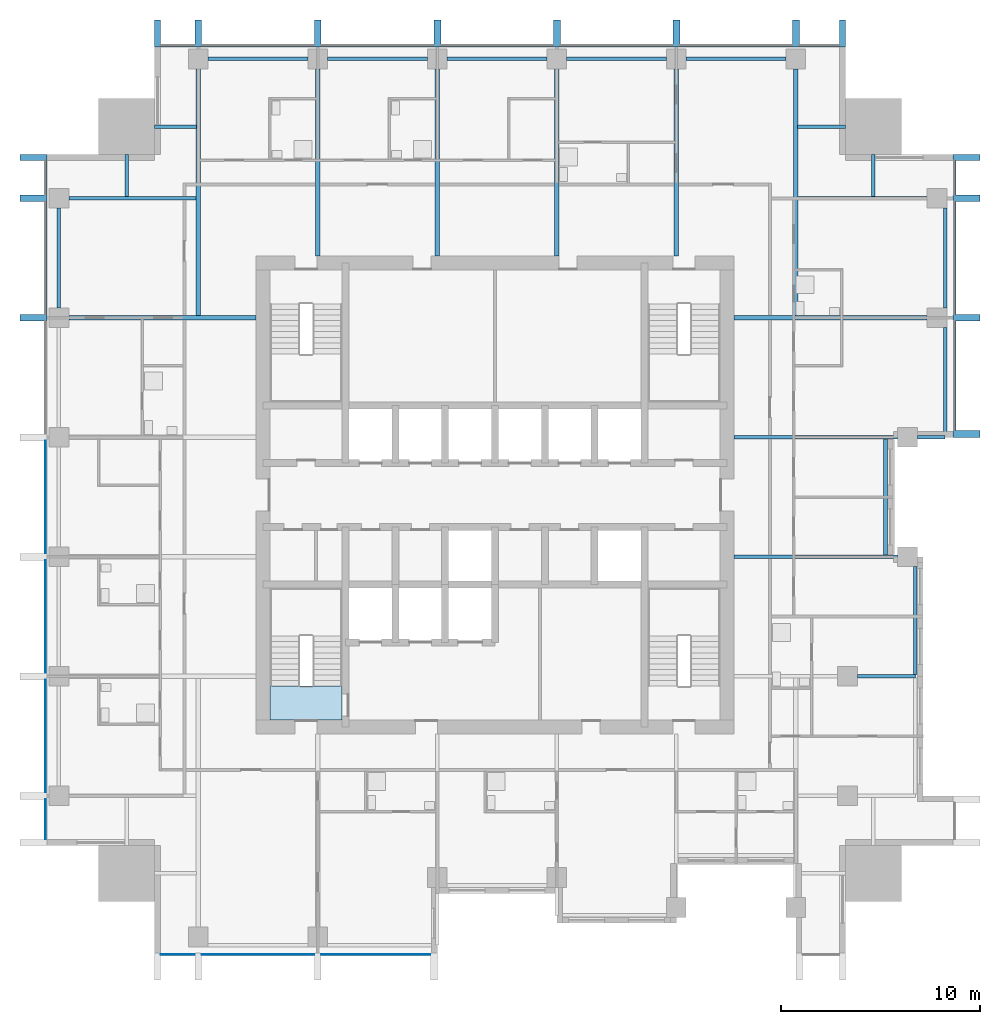
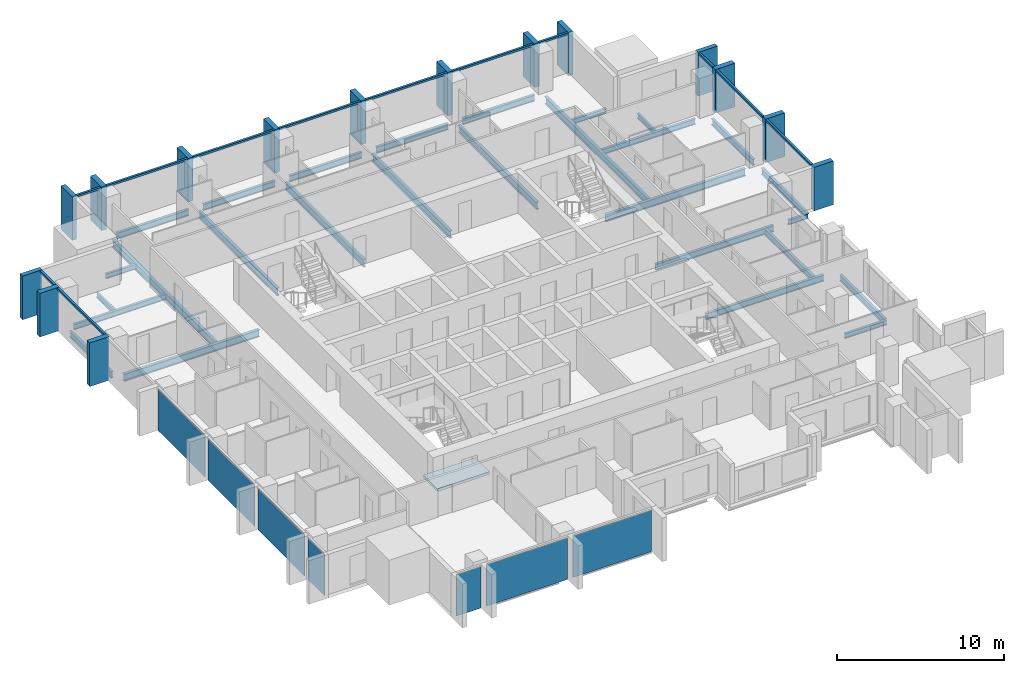
# One storey, part 2 of 10: 28 beams, 27 members, 7 plates, 1 slab, 5 elements without a shape of their own.
"""IFC4 building model written with IfcOpenShell, lengths in metres."""

from ifc_helpers import new_model, si_unit, direction, frame, origin, origin_2d, place, context, subcontext, project, spatial, polyline, rectangle, i_section, outline, extrude, material, layer, layer_set, material_profile, profile_set, type_object, element, aggregate, save


model = new_model("IFC4")

# Units and contexts
model_context = context("Model", 3, precision=1e-05, world=origin(), true_north=direction((0.0, 1.0)))
body_context = subcontext(model_context, "Body", "Model", "MODEL_VIEW")
ifc_project = project(units=[si_unit("LENGTHUNIT", "METRE"), si_unit("AREAUNIT", "SQUARE_METRE"), si_unit("VOLUMEUNIT", "CUBIC_METRE"), si_unit("PLANEANGLEUNIT", "RADIAN"), si_unit("MASSUNIT", "GRAM", prefix="KILO")], contexts=[model_context])

# Site, building, storey
site_placement = place(None, origin())
site = spatial("IfcSite", under=ifc_project, at=site_placement, CompositionType="ELEMENT")
building_placement = place(site_placement, origin())
building = spatial("IfcBuilding", under=site, at=building_placement, Name="Amberfall Residences", CompositionType="ELEMENT")
storey_placement = place(building_placement, frame((0.0, 0.0, 174.699951171875)))
storey = spatial("IfcBuildingStorey", under=building, at=storey_placement, Name="L47", CompositionType="ELEMENT", Elevation=174.699951171875)

# Curtain wall, members
ifc_material_1 = material(Name="Bronze anodised aluminium and glass", Category="aluminium")
curtain_wall_type = type_object("IfcCurtainWallType", Name="Curtain wall CW1 tower unit", PredefinedType="USERDEFINED", material=ifc_material_1)
curtain_wall_1_placement = place(storey_placement, origin())
curtain_wall_1 = element("IfcCurtainWall", 1, at=curtain_wall_1_placement, inside=storey, type_object=curtain_wall_type, Name="Curtain wall L47 E E8", ObjectType="UNITISED CURTAIN WALL", PredefinedType="USERDEFINED")
ifc_material_2 = material(Name="Bronze anodised aluminium", Category="aluminium")
ifc_material_profile_1 = material_profile(ifc_material_2, rectangle(XDim=0.14990234375, YDim=0.14990234375, at=origin_2d()), Name="CW1 transom 150 x 150 bronze")
ifc_profile_set_1 = profile_set([ifc_material_profile_1], Name="Bronze anodised aluminium")
member_type_1 = type_object("IfcMemberType", Name="CW1 transom 150 x 150 bronze", PredefinedType="USERDEFINED", material=ifc_profile_set_1)
member_1_placement = place(storey_placement, frame((97.574951171875, 48.75, 2.875), z_axis=(0.0, 1.0, 0.0), x_axis=(-1.0, 0.0, 0.0)))
member_1 = element("IfcMember", 2, at=member_1_placement, type_object=member_type_1, Name="CW1 transom 1.1", ObjectType="TRANSOM", PredefinedType="USERDEFINED", context=body_context, shape_type="SweptSolid", body=[
    extrude(rectangle(XDim=0.14990234375, YDim=0.14990234375, at=origin_2d()), origin(), (0.0, 0.0, 1.0), 5.47509765625),
])
member_2_placement = place(storey_placement, frame((97.574951171875, 54.574951171875, 2.875), z_axis=(0.0, 1.0, 0.0), x_axis=(-1.0, 0.0, 0.0)))
member_2 = element("IfcMember", 3, at=member_2_placement, type_object=member_type_1, Name="CW1 transom 2.1", ObjectType="TRANSOM", PredefinedType="USERDEFINED", context=body_context, shape_type="SweptSolid", body=[
    extrude(rectangle(XDim=0.14990234375, YDim=0.14990234375, at=origin_2d()), origin(), (0.0, 0.0, 1.0), 5.650146484375),
])
member_3_placement = place(storey_placement, frame((97.574951171875, 60.574951171875, 2.875), z_axis=(0.0, 1.0, 0.0), x_axis=(-1.0, 0.0, 0.0)))
member_3 = element("IfcMember", 4, at=member_3_placement, type_object=member_type_1, Name="CW1 transom 3.1", ObjectType="TRANSOM", PredefinedType="USERDEFINED", context=body_context, shape_type="SweptSolid", body=[
    extrude(rectangle(XDim=0.14990234375, YDim=0.14990234375, at=origin_2d()), origin(), (0.0, 0.0, 1.0), 1.72509765625),
])

curtain_wall_2_placement = place(storey_placement, origin())
curtain_wall_2 = element("IfcCurtainWall", 5, at=curtain_wall_2_placement, inside=storey, type_object=curtain_wall_type, Name="Curtain wall L47 N N1", ObjectType="UNITISED CURTAIN WALL", PredefinedType="USERDEFINED")
member_4_placement = place(storey_placement, frame((91.800048828125, 68.074951171875, 2.875), z_axis=(-1.0, 0.0, 0.0), x_axis=(0.0, -1.0, 0.0)))
member_4 = element("IfcMember", 6, at=member_4_placement, type_object=member_type_1, Name="CW1 transom 1.1", ObjectType="TRANSOM", PredefinedType="USERDEFINED", context=body_context, shape_type="SweptSolid", body=[
    extrude(rectangle(XDim=0.14990234375, YDim=0.14990234375, at=origin_2d()), origin(), (0.0, 0.0, 1.0), 2.025146484375),
])
member_5_placement = place(storey_placement, frame((89.425048828125, 68.074951171875, 2.875), z_axis=(-1.0, 0.0, 0.0), x_axis=(0.0, -1.0, 0.0)))
member_5 = element("IfcMember", 7, at=member_5_placement, type_object=member_type_1, Name="CW1 transom 2.1", ObjectType="TRANSOM", PredefinedType="USERDEFINED", context=body_context, shape_type="SweptSolid", body=[
    extrude(rectangle(XDim=0.14990234375, YDim=0.14990234375, at=origin_2d()), origin(), (0.0, 0.0, 1.0), 5.650146484375),
])
member_6_placement = place(storey_placement, frame((83.425048828125, 68.074951171875, 2.875), z_axis=(-1.0, 0.0, 0.0), x_axis=(0.0, -1.0, 0.0)))
member_6 = element("IfcMember", 8, at=member_6_placement, type_object=member_type_1, Name="CW1 transom 3.1", ObjectType="TRANSOM", PredefinedType="USERDEFINED", context=body_context, shape_type="SweptSolid", body=[
    extrude(rectangle(XDim=0.14990234375, YDim=0.14990234375, at=origin_2d()), origin(), (0.0, 0.0, 1.0), 5.650146484375),
])
member_7_placement = place(storey_placement, frame((77.425048828125, 68.074951171875, 2.875), z_axis=(-1.0, 0.0, 0.0), x_axis=(0.0, -1.0, 0.0)))
member_7 = element("IfcMember", 9, at=member_7_placement, type_object=member_type_1, Name="CW1 transom 4.1", ObjectType="TRANSOM", PredefinedType="USERDEFINED", context=body_context, shape_type="SweptSolid", body=[
    extrude(rectangle(XDim=0.14990234375, YDim=0.14990234375, at=origin_2d()), origin(), (0.0, 0.0, 1.0), 5.650146484375),
])
member_8_placement = place(storey_placement, frame((71.425048828125, 68.074951171875, 2.875), z_axis=(-1.0, 0.0, 0.0), x_axis=(0.0, -1.0, 0.0)))
member_8 = element("IfcMember", 10, at=member_8_placement, type_object=member_type_1, Name="CW1 transom 5.1", ObjectType="TRANSOM", PredefinedType="USERDEFINED", context=body_context, shape_type="SweptSolid", body=[
    extrude(rectangle(XDim=0.14990234375, YDim=0.14990234375, at=origin_2d()), origin(), (0.0, 0.0, 1.0), 5.650146484375),
])
member_9_placement = place(storey_placement, frame((65.425048828125, 68.074951171875, 2.875), z_axis=(-1.0, 0.0, 0.0), x_axis=(0.0, -1.0, 0.0)))
member_9 = element("IfcMember", 11, at=member_9_placement, type_object=member_type_1, Name="CW1 transom 6.1", ObjectType="TRANSOM", PredefinedType="USERDEFINED", context=body_context, shape_type="SweptSolid", body=[
    extrude(rectangle(XDim=0.14990234375, YDim=0.14990234375, at=origin_2d()), origin(), (0.0, 0.0, 1.0), 5.650146484375),
])
member_10_placement = place(storey_placement, frame((59.425048828125, 68.074951171875, 2.875), z_axis=(-1.0, 0.0, 0.0), x_axis=(0.0, -1.0, 0.0)))
member_10 = element("IfcMember", 12, at=member_10_placement, type_object=member_type_1, Name="CW1 transom 7.1", ObjectType="TRANSOM", PredefinedType="USERDEFINED", context=body_context, shape_type="SweptSolid", body=[
    extrude(rectangle(XDim=0.14990234375, YDim=0.14990234375, at=origin_2d()), origin(), (0.0, 0.0, 1.0), 1.72509765625),
])

curtain_wall_3_placement = place(storey_placement, origin())
curtain_wall_3 = element("IfcCurtainWall", 13, at=curtain_wall_3_placement, inside=storey, type_object=curtain_wall_type, Name="Curtain wall L47 W W1", ObjectType="UNITISED CURTAIN WALL", PredefinedType="USERDEFINED")
member_11_placement = place(storey_placement, frame((51.925048828125, 62.300048828125, 2.875), z_axis=(0.0, -1.0, 0.0), x_axis=(1.0, 0.0, 0.0)))
member_11 = element("IfcMember", 14, at=member_11_placement, type_object=member_type_1, Name="CW1 transom 1.1", ObjectType="TRANSOM", PredefinedType="USERDEFINED", context=body_context, shape_type="SweptSolid", body=[
    extrude(rectangle(XDim=0.14990234375, YDim=0.14990234375, at=origin_2d()), origin(), (0.0, 0.0, 1.0), 1.72509765625),
])
member_12_placement = place(storey_placement, frame((51.925048828125, 60.22509765625, 2.875), z_axis=(0.0, -1.0, 0.0), x_axis=(1.0, 0.0, 0.0)))
member_12 = element("IfcMember", 15, at=member_12_placement, type_object=member_type_1, Name="CW1 transom 2.1", ObjectType="TRANSOM", PredefinedType="USERDEFINED", context=body_context, shape_type="SweptSolid", body=[
    extrude(rectangle(XDim=0.14990234375, YDim=0.14990234375, at=origin_2d()), origin(), (0.0, 0.0, 1.0), 5.650146484375),
])

# Beams
ifc_material_3 = material(Name="Steel S355", Category="steel")
ifc_material_profile_2 = material_profile(ifc_material_3, i_section(OverallWidth=0.171142578125, OverallDepth=0.351318359375, WebThickness=0.007080078125, FlangeThickness=0.009765625, FilletRadius=0.01025390625, at=origin_2d()), Name="UB 356x171x45")
ifc_profile_set_2 = profile_set([ifc_material_profile_2], Name="Steel S355")
beam_type_1 = type_object("IfcBeamType", Name="Cantilever girder UB 356x171x45", PredefinedType="BEAM", material=ifc_profile_set_2)
beam_1_placement = place(storey_placement, frame((92.699951171875, 36.39990234375, -0.425537109375), z_axis=(1.0, 0.0, 0.0), x_axis=(0.0, 1.0, 0.0)))
element("IfcBeam", 16, at=beam_1_placement, inside=storey, type_object=beam_type_1, Name="Cantilever girder B8 L47 20", PredefinedType="BEAM", context=body_context, shape_type="SweptSolid", body=[
    extrude(i_section(OverallWidth=0.171142578125, OverallDepth=0.351318359375, WebThickness=0.007080078125, FlangeThickness=0.009765625, FilletRadius=0.01025390625, at=origin_2d()), origin(), (0.0, 0.0, 1.0), 2.900146484375),
])
beam_2_placement = place(storey_placement, frame((95.699951171875, 48.39990234375, -0.425537109375), z_axis=(1.0, 0.0, 0.0), x_axis=(0.0, 1.0, 0.0)))
element("IfcBeam", 17, at=beam_2_placement, inside=storey, type_object=beam_type_1, Name="Cantilever girder B8 L47 21", PredefinedType="BEAM", context=body_context, shape_type="SweptSolid", body=[
    extrude(i_section(OverallWidth=0.171142578125, OverallDepth=0.351318359375, WebThickness=0.007080078125, FlangeThickness=0.009765625, FilletRadius=0.01025390625, at=origin_2d()), origin(), (0.0, 0.0, 1.0), 1.400146484375),
])

# Member
ifc_material_profile_3 = material_profile(ifc_material_2, rectangle(XDim=1.35009765625, YDim=0.300048828125, at=origin_2d()), Name="Corner fin 300 x 1350 bronze")
ifc_profile_set_3 = profile_set([ifc_material_profile_3], Name="Bronze anodised aluminium")
member_type_2 = type_object("IfcMemberType", Name="Corner fin 300 x 1350 bronze", PredefinedType="MULLION", material=ifc_profile_set_3)
member_13_placement = place(storey_placement, frame((98.175048828125, 62.449951171875, -0.25), z_axis=(0.0, 0.0, 1.0), x_axis=(-1.0, 0.0, 0.0)))
member_13 = element("IfcMember", 18, at=member_13_placement, type_object=member_type_2, Name="CW FIN 4", PredefinedType="MULLION", context=body_context, shape_type="SweptSolid", body=[
    extrude(rectangle(XDim=1.35009765625, YDim=0.300048828125, at=origin_2d()), origin(), (0.0, 0.0, 1.0), 3.199951171875),
])

member_14_placement = place(storey_placement, frame((91.949951171875, 68.675048828125, -0.25), z_axis=(0.0, 0.0, 1.0), x_axis=(0.0, -1.0, 0.0)))
member_14 = element("IfcMember", 19, at=member_14_placement, type_object=member_type_2, Name="CW FIN 1", PredefinedType="MULLION", context=body_context, shape_type="SweptSolid", body=[
    extrude(rectangle(XDim=1.35009765625, YDim=0.300048828125, at=origin_2d()), origin(), (0.0, 0.0, 1.0), 3.199951171875),
])

member_15_placement = place(storey_placement, frame((57.550048828125, 68.675048828125, -0.25), z_axis=(0.0, 0.0, 1.0), x_axis=(0.0, -1.0, 0.0)))
member_15 = element("IfcMember", 20, at=member_15_placement, type_object=member_type_2, Name="CW FIN 8", PredefinedType="MULLION", context=body_context, shape_type="SweptSolid", body=[
    extrude(rectangle(XDim=1.35009765625, YDim=0.300048828125, at=origin_2d()), origin(), (0.0, 0.0, 1.0), 3.199951171875),
])

member_16_placement = place(storey_placement, frame((51.324951171875, 62.449951171875, -0.25), z_axis=(0.0, 0.0, 1.0), x_axis=(1.0, 0.0, 0.0)))
member_16 = element("IfcMember", 21, at=member_16_placement, type_object=member_type_2, Name="CW FIN 1", PredefinedType="MULLION", context=body_context, shape_type="SweptSolid", body=[
    extrude(rectangle(XDim=1.35009765625, YDim=0.300048828125, at=origin_2d()), origin(), (0.0, 0.0, 1.0), 3.199951171875),
])

# Beams
ifc_material_profile_4 = material_profile(ifc_material_3, i_section(OverallWidth=0.18994140625, OverallDepth=0.453369140625, WebThickness=0.008544921875, FlangeThickness=0.0126953125, FilletRadius=0.01025390625, at=origin_2d()), Name="UB 457x191x67")
ifc_profile_set_4 = profile_set([ifc_material_profile_4], Name="Steel S355")
beam_type_2 = type_object("IfcBeamType", Name="Edge beam UB 457x191x67", PredefinedType="SPANDREL", material=ifc_profile_set_4)
beam_3_placement = place(storey_placement, frame((95.60009765625, 36.47998046875, -0.4765625), z_axis=(0.0, 1.0, 0.0), x_axis=(-1.0, 0.0, 0.0)))
element("IfcBeam", 22, at=beam_3_placement, inside=storey, type_object=beam_type_2, Name="Edge beam B1 L47 15", PredefinedType="SPANDREL", context=body_context, shape_type="SweptSolid", body=[
    extrude(i_section(OverallWidth=0.18994140625, OverallDepth=0.453369140625, WebThickness=0.008544921875, FlangeThickness=0.0126953125, FilletRadius=0.01025390625, at=origin_2d()), origin(), (0.0, 0.0, 1.0), 5.419921875),
])
beam_4_placement = place(storey_placement, frame((94.10009765625, 42.47998046875, -0.4765625), z_axis=(0.0, 1.0, 0.0), x_axis=(-1.0, 0.0, 0.0)))
element("IfcBeam", 23, at=beam_4_placement, inside=storey, type_object=beam_type_2, Name="Edge beam B1 L47 16", PredefinedType="SPANDREL", context=body_context, shape_type="SweptSolid", body=[
    extrude(i_section(OverallWidth=0.18994140625, OverallDepth=0.453369140625, WebThickness=0.008544921875, FlangeThickness=0.0126953125, FilletRadius=0.01025390625, at=origin_2d()), origin(), (0.0, 0.0, 1.0), 5.840087890625),
])
beam_5_placement = place(storey_placement, frame((97.10009765625, 48.47998046875, -0.4765625), z_axis=(0.0, 1.0, 0.0), x_axis=(-1.0, 0.0, 0.0)))
element("IfcBeam", 24, at=beam_5_placement, inside=storey, type_object=beam_type_2, Name="Edge beam B1 L47 17", PredefinedType="SPANDREL", context=body_context, shape_type="SweptSolid", body=[
    extrude(i_section(OverallWidth=0.18994140625, OverallDepth=0.453369140625, WebThickness=0.008544921875, FlangeThickness=0.0126953125, FilletRadius=0.01025390625, at=origin_2d()), origin(), (0.0, 0.0, 1.0), 5.419921875),
])
for number, where, z_axis, x_axis, name in (
    (25, (97.10009765625, 54.89990234375, -0.4765625), (0.0, 1.0, 0.0), (-1.0, 0.0, 0.0), "Edge beam B1 L47 18"),
    (26, (60.10009765625, 67.39990234375, -0.4765625), (1.0, 0.0, 0.0), (0.0, 1.0, 0.0), "Edge beam B1 L47 28"),
    (27, (66.10009765625, 67.39990234375, -0.4765625), (1.0, 0.0, 0.0), (0.0, 1.0, 0.0), "Edge beam B1 L47 29"),
    (28, (72.10009765625, 67.39990234375, -0.4765625), (1.0, 0.0, 0.0), (0.0, 1.0, 0.0), "Edge beam B1 L47 30"),
    (29, (78.10009765625, 67.39990234375, -0.4765625), (1.0, 0.0, 0.0), (0.0, 1.0, 0.0), "Edge beam B1 L47 31"),
    (30, (84.10009765625, 67.39990234375, -0.4765625), (1.0, 0.0, 0.0), (0.0, 1.0, 0.0), "Edge beam B1 L47 32"),
    (31, (52.60009765625, 54.89990234375, -0.4765625), (0.0, 1.0, 0.0), (-1.0, 0.0, 0.0), "Edge beam B1 L47 43"),
):
    element("IfcBeam", number, at=place(storey_placement, frame(where, z_axis=z_axis, x_axis=x_axis)), inside=storey, type_object=beam_type_2, Name=name, PredefinedType="SPANDREL", context=body_context, shape_type="SweptSolid", body=[
        extrude(i_section(OverallWidth=0.18994140625, OverallDepth=0.453369140625, WebThickness=0.008544921875, FlangeThickness=0.0126953125, FilletRadius=0.01025390625, at=origin_2d()), origin(), (0.0, 0.0, 1.0), 5.0),
    ])

# Member
ifc_material_profile_5 = material_profile(ifc_material_2, rectangle(XDim=1.35009765625, YDim=0.35009765625, at=origin_2d()), Name="Fin 350 x 1350 bronze")
ifc_profile_set_5 = profile_set([ifc_material_profile_5], Name="Bronze anodised aluminium")
member_type_3 = type_object("IfcMemberType", Name="Fin 350 x 1350 bronze", PredefinedType="MULLION", material=ifc_profile_set_5)
member_17_placement = place(storey_placement, frame((98.175048828125, 48.574951171875, -0.25), z_axis=(0.0, 0.0, 1.0), x_axis=(-1.0, 0.0, 0.0)))
member_17 = element("IfcMember", 32, at=member_17_placement, type_object=member_type_3, Name="CW FIN 1", PredefinedType="MULLION", context=body_context, shape_type="SweptSolid", body=[
    extrude(rectangle(XDim=1.35009765625, YDim=0.35009765625, at=origin_2d()), origin(), (0.0, 0.0, 1.0), 3.199951171875),
])

member_18_placement = place(storey_placement, frame((98.175048828125, 54.39990234375, -0.25), z_axis=(0.0, 0.0, 1.0), x_axis=(-1.0, 0.0, 0.0)))
member_18 = element("IfcMember", 33, at=member_18_placement, type_object=member_type_3, Name="CW FIN 2", PredefinedType="MULLION", context=body_context, shape_type="SweptSolid", body=[
    extrude(rectangle(XDim=1.35009765625, YDim=0.35009765625, at=origin_2d()), origin(), (0.0, 0.0, 1.0), 3.199951171875),
])

member_19_placement = place(storey_placement, frame((98.175048828125, 60.39990234375, -0.25), z_axis=(0.0, 0.0, 1.0), x_axis=(-1.0, 0.0, 0.0)))
member_19 = element("IfcMember", 34, at=member_19_placement, type_object=member_type_3, Name="CW FIN 3", PredefinedType="MULLION", context=body_context, shape_type="SweptSolid", body=[
    extrude(rectangle(XDim=1.35009765625, YDim=0.35009765625, at=origin_2d()), origin(), (0.0, 0.0, 1.0), 3.199951171875),
])

aggregate(curtain_wall_1, [member_17, member_18, member_19, member_13, member_1, member_2, member_3])

member_20_placement = place(storey_placement, frame((89.60009765625, 68.675048828125, -0.25), z_axis=(0.0, 0.0, 1.0), x_axis=(0.0, -1.0, 0.0)))
member_20 = element("IfcMember", 35, at=member_20_placement, type_object=member_type_3, Name="CW FIN 2", PredefinedType="MULLION", context=body_context, shape_type="SweptSolid", body=[
    extrude(rectangle(XDim=1.35009765625, YDim=0.35009765625, at=origin_2d()), origin(), (0.0, 0.0, 1.0), 3.199951171875),
])

member_21_placement = place(storey_placement, frame((83.60009765625, 68.675048828125, -0.25), z_axis=(0.0, 0.0, 1.0), x_axis=(0.0, -1.0, 0.0)))
member_21 = element("IfcMember", 36, at=member_21_placement, type_object=member_type_3, Name="CW FIN 3", PredefinedType="MULLION", context=body_context, shape_type="SweptSolid", body=[
    extrude(rectangle(XDim=1.35009765625, YDim=0.35009765625, at=origin_2d()), origin(), (0.0, 0.0, 1.0), 3.199951171875),
])

member_22_placement = place(storey_placement, frame((77.60009765625, 68.675048828125, -0.25), z_axis=(0.0, 0.0, 1.0), x_axis=(0.0, -1.0, 0.0)))
member_22 = element("IfcMember", 37, at=member_22_placement, type_object=member_type_3, Name="CW FIN 4", PredefinedType="MULLION", context=body_context, shape_type="SweptSolid", body=[
    extrude(rectangle(XDim=1.35009765625, YDim=0.35009765625, at=origin_2d()), origin(), (0.0, 0.0, 1.0), 3.199951171875),
])

member_23_placement = place(storey_placement, frame((71.60009765625, 68.675048828125, -0.25), z_axis=(0.0, 0.0, 1.0), x_axis=(0.0, -1.0, 0.0)))
member_23 = element("IfcMember", 38, at=member_23_placement, type_object=member_type_3, Name="CW FIN 5", PredefinedType="MULLION", context=body_context, shape_type="SweptSolid", body=[
    extrude(rectangle(XDim=1.35009765625, YDim=0.35009765625, at=origin_2d()), origin(), (0.0, 0.0, 1.0), 3.199951171875),
])

member_24_placement = place(storey_placement, frame((65.60009765625, 68.675048828125, -0.25), z_axis=(0.0, 0.0, 1.0), x_axis=(0.0, -1.0, 0.0)))
member_24 = element("IfcMember", 39, at=member_24_placement, type_object=member_type_3, Name="CW FIN 6", PredefinedType="MULLION", context=body_context, shape_type="SweptSolid", body=[
    extrude(rectangle(XDim=1.35009765625, YDim=0.35009765625, at=origin_2d()), origin(), (0.0, 0.0, 1.0), 3.199951171875),
])

member_25_placement = place(storey_placement, frame((59.60009765625, 68.675048828125, -0.25), z_axis=(0.0, 0.0, 1.0), x_axis=(0.0, -1.0, 0.0)))
member_25 = element("IfcMember", 40, at=member_25_placement, type_object=member_type_3, Name="CW FIN 7", PredefinedType="MULLION", context=body_context, shape_type="SweptSolid", body=[
    extrude(rectangle(XDim=1.35009765625, YDim=0.35009765625, at=origin_2d()), origin(), (0.0, 0.0, 1.0), 3.199951171875),
])

aggregate(curtain_wall_2, [member_14, member_20, member_21, member_22, member_23, member_24, member_25, member_15, member_4, member_5, member_6, member_7, member_8, member_9, member_10])

member_26_placement = place(storey_placement, frame((51.324951171875, 60.39990234375, -0.25), z_axis=(0.0, 0.0, 1.0), x_axis=(1.0, 0.0, 0.0)))
member_26 = element("IfcMember", 41, at=member_26_placement, type_object=member_type_3, Name="CW FIN 2", PredefinedType="MULLION", context=body_context, shape_type="SweptSolid", body=[
    extrude(rectangle(XDim=1.35009765625, YDim=0.35009765625, at=origin_2d()), origin(), (0.0, 0.0, 1.0), 3.199951171875),
])

member_27_placement = place(storey_placement, frame((51.324951171875, 54.39990234375, -0.25), z_axis=(0.0, 0.0, 1.0), x_axis=(1.0, 0.0, 0.0)))
member_27 = element("IfcMember", 42, at=member_27_placement, type_object=member_type_3, Name="CW FIN 3", PredefinedType="MULLION", context=body_context, shape_type="SweptSolid", body=[
    extrude(rectangle(XDim=1.35009765625, YDim=0.35009765625, at=origin_2d()), origin(), (0.0, 0.0, 1.0), 3.199951171875),
])

# Beams
ifc_material_profile_6 = material_profile(ifc_material_3, i_section(OverallWidth=0.177734375, OverallDepth=0.402587890625, WebThickness=0.0078125, FlangeThickness=0.010986328125, FilletRadius=0.01025390625, at=origin_2d()), Name="UB 406x178x54")
ifc_profile_set_6 = profile_set([ifc_material_profile_6], Name="Steel S355")
beam_type_3 = type_object("IfcBeamType", Name="Floor girder UB 406x178x54", PredefinedType="BEAM", material=ifc_profile_set_6)
beam_6_placement = place(storey_placement, frame((96.199951171875, 60.39990234375, -0.451171875), z_axis=(-1.0, 0.0, 0.0), x_axis=(0.0, -1.0, 0.0)))
element("IfcBeam", 43, at=beam_6_placement, inside=storey, type_object=beam_type_3, Name="Floor girder B4 L47 27", PredefinedType="BEAM", context=body_context, shape_type="SweptSolid", body=[
    extrude(i_section(OverallWidth=0.177734375, OverallDepth=0.402587890625, WebThickness=0.0078125, FlangeThickness=0.010986328125, FilletRadius=0.01025390625, at=origin_2d()), origin(), (0.0, 0.0, 1.0), 6.47998046875),
])
beam_7_placement = place(storey_placement, frame((53.10009765625, 60.39990234375, -0.451171875), z_axis=(1.0, 0.0, 0.0), x_axis=(0.0, 1.0, 0.0)))
element("IfcBeam", 44, at=beam_7_placement, inside=storey, type_object=beam_type_3, Name="Floor girder B4 L47 49", PredefinedType="BEAM", context=body_context, shape_type="SweptSolid", body=[
    extrude(i_section(OverallWidth=0.177734375, OverallDepth=0.402587890625, WebThickness=0.0078125, FlangeThickness=0.010986328125, FilletRadius=0.01025390625, at=origin_2d()), origin(), (0.0, 0.0, 1.0), 6.3798828125),
])
ifc_material_profile_7 = material_profile(ifc_material_3, i_section(OverallWidth=0.19140625, OverallDepth=0.4599609375, WebThickness=0.010009765625, FlangeThickness=0.01611328125, FilletRadius=0.01025390625, at=origin_2d()), Name="UB 457x191x82")
ifc_profile_set_7 = profile_set([ifc_material_profile_7], Name="Steel S355")
beam_type_4 = type_object("IfcBeamType", Name="Floor girder UB 457x191x82", PredefinedType="BEAM", material=ifc_profile_set_7)
for number, where, z_axis, x_axis, name in (
    (45, (94.699951171875, 42.39990234375, -0.47998046875), (-1.0, 0.0, 0.0), (0.0, -1.0, 0.0), "Floor girder B10 L47 24"),
    (46, (94.699951171875, 48.39990234375, -0.47998046875), (-1.0, 0.0, 0.0), (0.0, -1.0, 0.0), "Floor girder B10 L47 25"),
):
    element("IfcBeam", number, at=place(storey_placement, frame(where, z_axis=z_axis, x_axis=x_axis)), inside=storey, type_object=beam_type_4, Name=name, PredefinedType="BEAM", context=body_context, shape_type="SweptSolid", body=[
        extrude(i_section(OverallWidth=0.19140625, OverallDepth=0.4599609375, WebThickness=0.010009765625, FlangeThickness=0.01611328125, FilletRadius=0.01025390625, at=origin_2d()), origin(), (0.0, 0.0, 1.0), 8.199951171875),
    ])
ifc_material_profile_8 = material_profile(ifc_material_3, i_section(OverallWidth=0.210693359375, OverallDepth=0.53955078125, WebThickness=0.01171875, FlangeThickness=0.018798828125, FilletRadius=0.0126953125, at=origin_2d()), Name="UB 533x210x109")
ifc_profile_set_8 = profile_set([ifc_material_profile_8], Name="Steel S355")
beam_type_5 = type_object("IfcBeamType", Name="Floor girder UB 533x210x109", PredefinedType="BEAM", material=ifc_profile_set_8)
for number, where, z_axis, x_axis, name in (
    (47, (59.60009765625, 66.89990234375, -0.519775390625), (0.0, -1.0, 0.0), (1.0, 0.0, 0.0), "Floor girder B2 L47 33"),
    (48, (89.60009765625, 66.89990234375, -0.519775390625), (0.0, -1.0, 0.0), (1.0, 0.0, 0.0), "Floor girder B2 L47 38"),
):
    element("IfcBeam", number, at=place(storey_placement, frame(where, z_axis=z_axis, x_axis=x_axis)), inside=storey, type_object=beam_type_5, Name=name, PredefinedType="BEAM", context=body_context, shape_type="SweptSolid", body=[
        extrude(i_section(OverallWidth=0.210693359375, OverallDepth=0.53955078125, WebThickness=0.01171875, FlangeThickness=0.018798828125, FilletRadius=0.0126953125, at=origin_2d()), origin(), (0.0, 0.0, 1.0), 12.400390625),
    ])
ifc_material_profile_9 = material_profile(ifc_material_3, i_section(OverallWidth=0.209228515625, OverallDepth=0.533203125, WebThickness=0.010009765625, FlangeThickness=0.015625, FilletRadius=0.0126953125, at=origin_2d()), Name="UB 533x210x92")
ifc_profile_set_9 = profile_set([ifc_material_profile_9], Name="Steel S355")
beam_type_6 = type_object("IfcBeamType", Name="Floor girder UB 533x210x92", PredefinedType="BEAM", material=ifc_profile_set_9)
beam_8_placement = place(storey_placement, frame((96.199951171875, 54.39990234375, -0.5166015625), z_axis=(-1.0, 0.0, 0.0), x_axis=(0.0, -1.0, 0.0)))
element("IfcBeam", 49, at=beam_8_placement, inside=storey, type_object=beam_type_6, Name="Floor girder B3 L47 26", PredefinedType="BEAM", context=body_context, shape_type="SweptSolid", body=[
    extrude(i_section(OverallWidth=0.209228515625, OverallDepth=0.533203125, WebThickness=0.010009765625, FlangeThickness=0.015625, FilletRadius=0.0126953125, at=origin_2d()), origin(), (0.0, 0.0, 1.0), 9.699951171875),
])
for number, where, z_axis, x_axis, name in (
    (50, (65.60009765625, 66.89990234375, -0.5166015625), (0.0, -1.0, 0.0), (1.0, 0.0, 0.0), "Floor girder B3 L47 34"),
    (51, (71.60009765625, 66.89990234375, -0.5166015625), (0.0, -1.0, 0.0), (1.0, 0.0, 0.0), "Floor girder B3 L47 35"),
    (52, (77.60009765625, 66.89990234375, -0.5166015625), (0.0, -1.0, 0.0), (1.0, 0.0, 0.0), "Floor girder B3 L47 36"),
    (53, (83.60009765625, 66.89990234375, -0.5166015625), (0.0, -1.0, 0.0), (1.0, 0.0, 0.0), "Floor girder B3 L47 37"),
    (54, (53.10009765625, 54.39990234375, -0.5166015625), (1.0, 0.0, 0.0), (0.0, 1.0, 0.0), "Floor girder B3 L47 48"),
):
    element("IfcBeam", number, at=place(storey_placement, frame(where, z_axis=z_axis, x_axis=x_axis)), inside=storey, type_object=beam_type_6, Name=name, PredefinedType="BEAM", context=body_context, shape_type="SweptSolid", body=[
        extrude(i_section(OverallWidth=0.209228515625, OverallDepth=0.533203125, WebThickness=0.010009765625, FlangeThickness=0.015625, FilletRadius=0.0126953125, at=origin_2d()), origin(), (0.0, 0.0, 1.0), 9.39990234375),
    ])
ifc_material_profile_10 = material_profile(ifc_material_3, i_section(OverallWidth=0.171142578125, OverallDepth=0.351318359375, WebThickness=0.007080078125, FlangeThickness=0.009765625, FilletRadius=0.01025390625, at=origin_2d()), Name="UB 356x171x45")
ifc_profile_set_10 = profile_set([ifc_material_profile_10], Name="Steel S355")
beam_type_7 = type_object("IfcBeamType", Name="Link beam UB 356x171x45", PredefinedType="BEAM", material=ifc_profile_set_10)
beam_9_placement = place(storey_placement, frame((92.10009765625, 64.0, -0.425537109375), z_axis=(-1.0, 0.0, 0.0), x_axis=(0.0, -1.0, 0.0)))
element("IfcBeam", 55, at=beam_9_placement, inside=storey, type_object=beam_type_7, Name="Link beam B7 L47 54", PredefinedType="BEAM", context=body_context, shape_type="SweptSolid", body=[
    extrude(i_section(OverallWidth=0.171142578125, OverallDepth=0.351318359375, WebThickness=0.007080078125, FlangeThickness=0.009765625, FilletRadius=0.01025390625, at=origin_2d()), origin(), (0.0, 0.0, 1.0), 2.40478515625),
])
beam_10_placement = place(storey_placement, frame((93.5, 62.60009765625, -0.425537109375), z_axis=(0.0, -1.0, 0.0), x_axis=(1.0, 0.0, 0.0)))
element("IfcBeam", 56, at=beam_10_placement, inside=storey, type_object=beam_type_7, Name="Link beam B7 L47 55", PredefinedType="BEAM", context=body_context, shape_type="SweptSolid", body=[
    extrude(i_section(OverallWidth=0.171142578125, OverallDepth=0.351318359375, WebThickness=0.007080078125, FlangeThickness=0.009765625, FilletRadius=0.01025390625, at=origin_2d()), origin(), (0.0, 0.0, 1.0), 2.12109375),
])
beam_11_placement = place(storey_placement, frame((57.39990234375, 64.0, -0.425537109375), z_axis=(1.0, 0.0, 0.0), x_axis=(0.0, 1.0, 0.0)))
element("IfcBeam", 57, at=beam_11_placement, inside=storey, type_object=beam_type_7, Name="Link beam B7 L47 56", PredefinedType="BEAM", context=body_context, shape_type="SweptSolid", body=[
    extrude(i_section(OverallWidth=0.171142578125, OverallDepth=0.351318359375, WebThickness=0.007080078125, FlangeThickness=0.009765625, FilletRadius=0.01025390625, at=origin_2d()), origin(), (0.0, 0.0, 1.0), 2.104736328125),
])
beam_12_placement = place(storey_placement, frame((56.0, 62.60009765625, -0.425537109375), z_axis=(0.0, -1.0, 0.0), x_axis=(1.0, 0.0, 0.0)))
element("IfcBeam", 58, at=beam_12_placement, inside=storey, type_object=beam_type_7, Name="Link beam B7 L47 57", PredefinedType="BEAM", context=body_context, shape_type="SweptSolid", body=[
    extrude(i_section(OverallWidth=0.171142578125, OverallDepth=0.351318359375, WebThickness=0.007080078125, FlangeThickness=0.009765625, FilletRadius=0.01025390625, at=origin_2d()), origin(), (0.0, 0.0, 1.0), 2.12109375),
])

# Curtain wall, plates
curtain_wall_4_placement = place(storey_placement, origin())
curtain_wall_4 = element("IfcCurtainWall", 59, at=curtain_wall_4_placement, inside=storey, type_object=curtain_wall_type, Name="Curtain wall L47 S S1", ObjectType="UNITISED CURTAIN WALL", PredefinedType="USERDEFINED")
ifc_material_4 = material(Name="Tinted double glazed unit", Category="glass")
ifc_layer_1 = layer(ifc_material_4, 0.035888671875)
ifc_layer_set_1 = layer_set([ifc_layer_1], Name="CW1 panel 36 glazing")
plate_type = type_object("IfcPlateType", Name="CW1 panel 36 glazing", PredefinedType="CURTAIN_PANEL", material=ifc_layer_set_1)
plate_1_placement = place(storey_placement, frame((58.5625, 22.425048828125, -0.25), z_axis=(0.0, 0.0, 1.0), x_axis=(1.0, 0.0, 0.0)))
plate_1 = element("IfcPlate", 60, at=plate_1_placement, type_object=plate_type, Name="CW1 panel 1.1", PredefinedType="CURTAIN_PANEL", context=body_context, shape_type="SweptSolid", body=[
    extrude(rectangle(XDim=1.700927734375, YDim=0.035888671875, at=origin_2d()), origin(), (0.0, 0.0, 1.0), 3.050048828125),
])
plate_2_placement = place(storey_placement, frame((62.60009765625, 22.425048828125, -0.25), z_axis=(0.0, 0.0, 1.0), x_axis=(1.0, 0.0, 0.0)))
plate_2 = element("IfcPlate", 61, at=plate_2_placement, type_object=plate_type, Name="CW1 panel 2.1", PredefinedType="CURTAIN_PANEL", context=body_context, shape_type="SweptSolid", body=[
    extrude(rectangle(XDim=5.6259765625, YDim=0.035888671875, at=origin_2d()), origin(), (0.0, 0.0, 1.0), 3.050048828125),
])
plate_3_placement = place(storey_placement, frame((68.512451171875, 22.425048828125, -0.25), z_axis=(0.0, 0.0, 1.0), x_axis=(1.0, 0.0, 0.0)))
plate_3 = element("IfcPlate", 62, at=plate_3_placement, type_object=plate_type, Name="CW1 panel 3.1", PredefinedType="CURTAIN_PANEL", context=body_context, shape_type="SweptSolid", body=[
    extrude(rectangle(XDim=5.450927734375, YDim=0.035888671875, at=origin_2d()), origin(), (0.0, 0.0, 1.0), 3.050048828125),
])
aggregate(curtain_wall_4, [plate_1, plate_2, plate_3])

# Plate
plate_4_placement = place(storey_placement, frame((51.925048828125, 45.39990234375, -0.25), z_axis=(0.0, 0.0, 1.0), x_axis=(0.0, -1.0, 0.0)))
plate_4 = element("IfcPlate", 63, at=plate_4_placement, type_object=plate_type, Name="CW1 panel 4.1", PredefinedType="CURTAIN_PANEL", context=body_context, shape_type="SweptSolid", body=[
    extrude(rectangle(XDim=5.6259765625, YDim=0.035888671875, at=origin_2d()), origin(), (0.0, 0.0, 1.0), 3.050048828125),
])

plate_5_placement = place(storey_placement, frame((51.925048828125, 39.39990234375, -0.25), z_axis=(0.0, 0.0, 1.0), x_axis=(0.0, -1.0, 0.0)))
plate_5 = element("IfcPlate", 64, at=plate_5_placement, type_object=plate_type, Name="CW1 panel 5.1", PredefinedType="CURTAIN_PANEL", context=body_context, shape_type="SweptSolid", body=[
    extrude(rectangle(XDim=5.6259765625, YDim=0.035888671875, at=origin_2d()), origin(), (0.0, 0.0, 1.0), 3.050048828125),
])

plate_6_placement = place(storey_placement, frame((51.925048828125, 33.39990234375, -0.25), z_axis=(0.0, 0.0, 1.0), x_axis=(0.0, -1.0, 0.0)))
plate_6 = element("IfcPlate", 65, at=plate_6_placement, type_object=plate_type, Name="CW1 panel 6.1", PredefinedType="CURTAIN_PANEL", context=body_context, shape_type="SweptSolid", body=[
    extrude(rectangle(XDim=5.6259765625, YDim=0.035888671875, at=origin_2d()), origin(), (0.0, 0.0, 1.0), 3.050048828125),
])

plate_7_placement = place(storey_placement, frame((51.925048828125, 29.21240234375, -0.25), z_axis=(0.0, 0.0, 1.0), x_axis=(0.0, -1.0, 0.0)))
plate_7 = element("IfcPlate", 66, at=plate_7_placement, type_object=plate_type, Name="CW1 panel 7.1", PredefinedType="CURTAIN_PANEL", context=body_context, shape_type="SweptSolid", body=[
    extrude(rectangle(XDim=2.0009765625, YDim=0.035888671875, at=origin_2d()), origin(), (0.0, 0.0, 1.0), 3.050048828125),
])

aggregate(curtain_wall_3, [member_16, member_26, member_27, member_11, member_12, plate_4, plate_5, plate_6, plate_7])

# Stair, slab
ifc_material_5 = material(Name="Concrete C40", Category="concrete")
stair_type = type_object("IfcStairType", Name="Exit stair 20 risers 165.0 mm", PredefinedType="HALF_TURN_STAIR", material=ifc_material_5)
stair_placement = place(storey_placement, origin())
stair = element("IfcStair", 67, at=stair_placement, inside=storey, type_object=stair_type, Name="L47 Exit stair 1", PredefinedType="HALF_TURN_STAIR")
ifc_layer_2 = layer(ifc_material_5, 0.199951171875)
ifc_layer_set_2 = layer_set([ifc_layer_2], Name="Stair landing 200")
slab_type = type_object("IfcSlabType", Name="Stair landing 200", PredefinedType="LANDING", material=ifc_layer_set_2)
slab_placement = place(storey_placement, frame((0.0, 0.0, -0.199951171875)))
slab = element("IfcSlab", 68, at=slab_placement, type_object=slab_type, Name="ST3 landing 2", PredefinedType="LANDING", context=body_context, shape_type="SweptSolid", body=[
    extrude(outline(polyline([(66.824951171875, 34.199951171875), (66.824951171875, 35.89990234375), (63.199951171875, 35.89990234375), (63.199951171875, 34.199951171875), (66.824951171875, 34.199951171875)])), origin(), (0.0, 0.0, 1.0), 0.199951171875),
])
aggregate(stair, [slab])

save(model, "model.ifc")
